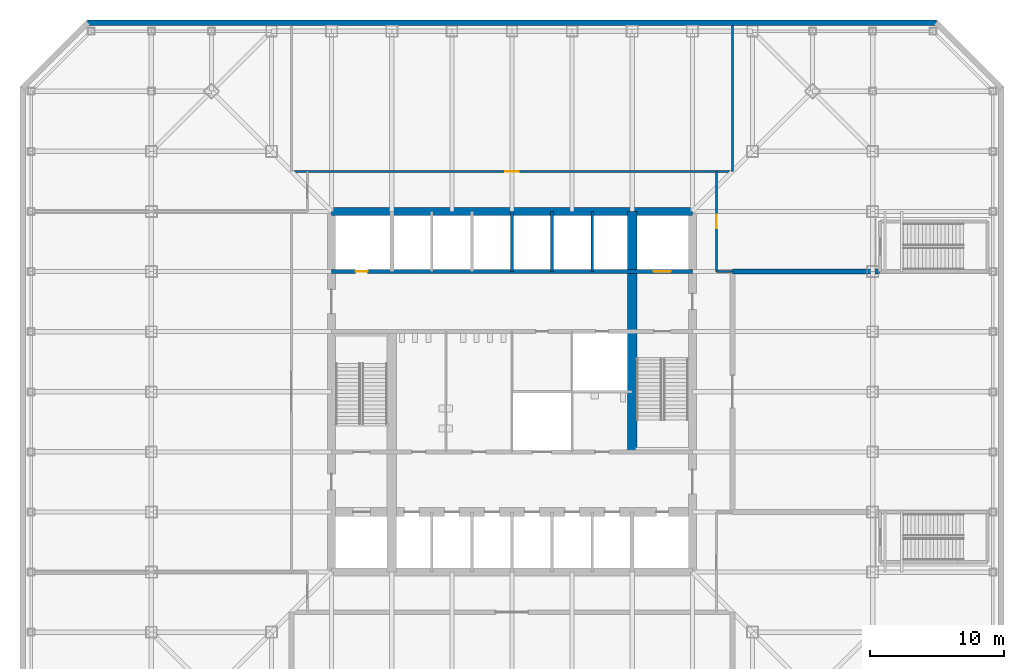
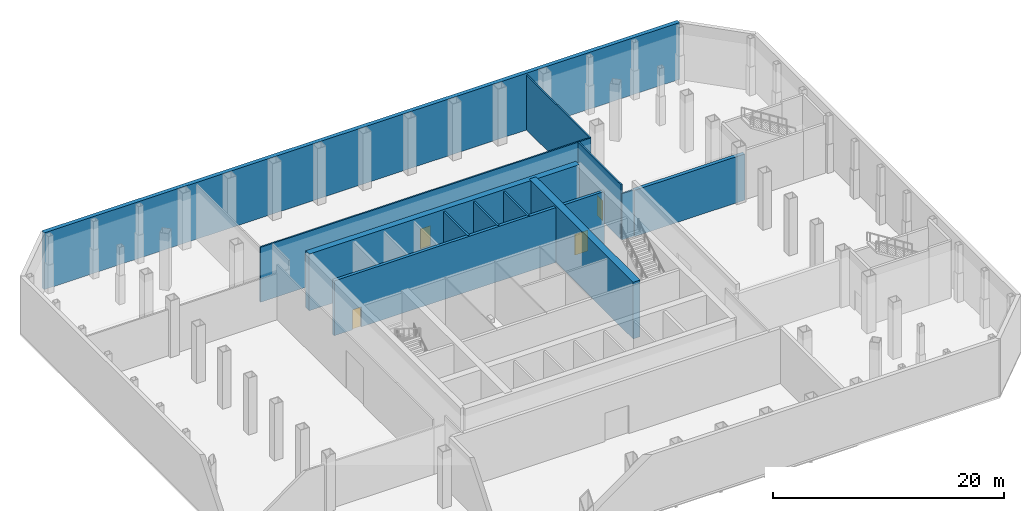
# One storey, part 8 of 12: 12 walls, 4 doors, 4 openings.
"""IFC4 building model written with IfcOpenShell, lengths in metres."""

from ifc_helpers import new_model, si_unit, direction, frame, frame_2d, origin, place, context, subcontext, project, spatial, rectangle, extrude, material, layer, layer_set, type_object, element, fill, save


model = new_model("IFC4")

# Units and contexts
model_context = context("Model", 3, precision=1e-05, world=origin(), true_north=direction((0.0, 1.0)))
body_context = subcontext(model_context, "Body", "Model", "MODEL_VIEW")
ifc_project = project(units=[si_unit("LENGTHUNIT", "METRE"), si_unit("AREAUNIT", "SQUARE_METRE"), si_unit("VOLUMEUNIT", "CUBIC_METRE"), si_unit("PLANEANGLEUNIT", "RADIAN"), si_unit("MASSUNIT", "GRAM", prefix="KILO")], contexts=[model_context])

# Site, building, storey
site_placement = place(None, origin())
site = spatial("IfcSite", under=ifc_project, at=site_placement, CompositionType="ELEMENT")
building_placement = place(site_placement, origin())
building = spatial("IfcBuilding", under=site, at=building_placement, Name="Corais Broadcast Tower", CompositionType="ELEMENT")
storey_placement = place(building_placement, frame((0.0, 0.0, 6.0)))
storey = spatial("IfcBuildingStorey", under=building, at=storey_placement, Name="L01", CompositionType="ELEMENT", Elevation=6.0)

# Walls
ifc_material_1 = material(Name="Concrete C50/60", Category="concrete")
ifc_layer_1 = layer(ifc_material_1, 0.699951171875)
ifc_layer_set_1 = layer_set([ifc_layer_1], Name="Concrete C50/60")
wall_type_1 = type_object("IfcWallType", Name="Core spine wall 700", PredefinedType="SHEAR", material=ifc_layer_set_1)
wall_1_placement = place(storey_placement, frame((36.0, 22.5, 0.0), z_axis=(0.0, 0.0, 1.0), x_axis=(0.0, 1.0, 0.0)))
element("IfcWall", 1, at=wall_1_placement, inside=storey, type_object=wall_type_1, Name="CR700 core wall X36B L01", PredefinedType="SHEAR", context=body_context, shape_type="SweptSolid", body=[
    extrude(rectangle(XDim=18.0, YDim=0.699951171875, at=frame_2d((9.0, 0.0))), origin(), (0.0, 0.0, 1.0), 6.0),
])
ifc_material_2 = material(Name="Concrete C50/60", Category="concrete")
ifc_layer_2 = layer(ifc_material_2, 0.60009765625)
ifc_layer_set_2 = layer_set([ifc_layer_2], Name="Concrete C50/60")
wall_type_2 = type_object("IfcWallType", Name="Core wall 600", PredefinedType="SHEAR", material=ifc_layer_set_2)
wall_2_placement = place(storey_placement, frame((40.5, 40.5, 0.0), z_axis=(0.0, 0.0, 1.0), x_axis=(-1.0, 0.0, 0.0)))
element("IfcWall", 2, at=wall_2_placement, inside=storey, type_object=wall_type_2, Name="CR600 core wall N L01", PredefinedType="SHEAR", context=body_context, shape_type="SweptSolid", body=[
    extrude(rectangle(XDim=27.0, YDim=0.60009765625, at=frame_2d((13.5, 0.0))), origin(), (0.0, 0.0, 1.0), 6.0),
])
ifc_material_3 = material(Name="Two leaves of dense concrete blockwork class A with a 50 mm cavity", Category="masonry")
ifc_layer_3 = layer(ifc_material_3, 0.35009765625)
ifc_layer_set_3 = layer_set([ifc_layer_3], Name="Two leaves of dense concrete blockwork class A with a 50 mm cavity")
wall_type_3 = type_object("IfcWallType", Name="Double-leaf acoustic partition 350", PredefinedType="PARTITIONING", material=ifc_layer_set_3)
wall_3_placement = place(storey_placement, frame((54.5, 36.0, 0.0), z_axis=(0.0, 0.0, 1.0), x_axis=(-1.0, 0.0, 0.0)))
element("IfcWall", 3, at=wall_3_placement, inside=storey, type_object=wall_type_3, Name="IW4 partition L01", PredefinedType="PARTITIONING", context=body_context, shape_type="SweptSolid", body=[
    extrude(rectangle(XDim=11.0, YDim=0.35009765625, at=frame_2d((5.5, 0.0))), origin(), (0.0, 0.0, 1.0), 4.881103515625),
])

# Wall, openings, doors
ifc_material_4 = material(Name="Concrete blockwork class A, grouted, four-hour", Category="masonry")
ifc_layer_4 = layer(ifc_material_4, 0.300048828125)
ifc_layer_set_4 = layer_set([ifc_layer_4], Name="Concrete blockwork class A, grouted, four-hour")
wall_type_4 = type_object("IfcWallType", Name="Emergency lift shaft wall 300", PredefinedType="SOLIDWALL", material=ifc_layer_set_4)
wall_4_placement = place(storey_placement, frame((13.5, 36.0, 0.0), z_axis=(0.0, 0.0, 1.0), x_axis=(1.0, 0.0, 0.0)))
wall_4 = element("IfcWall", 4, at=wall_4_placement, inside=storey, type_object=wall_type_4, Name="LS1 core lobby wall Y36 L01", PredefinedType="SOLIDWALL", context=body_context, shape_type="SweptSolid", body=[
    extrude(rectangle(XDim=27.0, YDim=0.300048828125, at=frame_2d((13.5, 0.0))), origin(), (0.0, 0.0, 1.0), 5.800048828125),
])
opening_1_placement = place(wall_4_placement, frame((1.800048828125, 0.0, 0.0)))
opening_1 = element("IfcOpeningElement", 5, at=opening_1_placement, cuts=wall_4, Name="Opening RD1", PredefinedType="OPENING", context=body_context, shape_type="SweptSolid", body=[
    extrude(rectangle(XDim=0.89990234375, YDim=2.10009765625, at=frame_2d((0.449951171875, 1.050048828125))), frame((0.0, 0.159912109375, 0.0), z_axis=(0.0, -1.0, 0.0), x_axis=(1.0, 0.0, 0.0)), (0.0, 0.0, 1.0), 0.320068359375),
])
opening_2_placement = place(wall_4_placement, frame((24.10009765625, 0.0, 0.0)))
opening_2 = element("IfcOpeningElement", 6, at=opening_2_placement, cuts=wall_4, Name="Opening LD2", PredefinedType="OPENING", context=body_context, shape_type="SweptSolid", body=[
    extrude(rectangle(XDim=1.300048828125, YDim=2.199951171875, at=frame_2d((0.64990234375, 1.10009765625))), frame((0.0, 0.159912109375, 0.0), z_axis=(0.0, -1.0, 0.0), x_axis=(1.0, 0.0, 0.0)), (0.0, 0.0, 1.0), 0.320068359375),
])
ifc_material_5 = material(Name="Stainless steel lift door", Category="steel")
door_type_1 = type_object("IfcDoorType", Name="Lift landing door 1300x2200", OperationType="SLIDING_TO_LEFT", PredefinedType="DOOR", material=ifc_material_5)
door_1_placement = place(opening_2_placement, origin())
door_1 = element("IfcDoor", 7, at=door_1_placement, inside=storey, type_object=door_type_1, Name="LD2 FL2 landing door L01", OperationType="SLIDING_TO_LEFT", OverallHeight=2.199951171875, OverallWidth=1.300048828125, PredefinedType="DOOR", context=body_context, shape_type="SweptSolid", body=[
    extrude(rectangle(XDim=1.300048828125, YDim=2.199951171875, at=frame_2d((0.64990234375, 1.10009765625))), frame((0.0, 0.02490234375, 0.0), z_axis=(0.0, -1.0, 0.0), x_axis=(1.0, 0.0, 0.0)), (0.0, 0.0, 1.0), 0.050048828125),
])
fill(opening_2, door_1)
ifc_material_6 = material(Name="Steel fire door", Category="steel")
door_type_2 = type_object("IfcDoorType", Name="Riser door 900x2100", OperationType="SINGLE_SWING_LEFT", PredefinedType="DOOR", material=ifc_material_6)
door_2_placement = place(opening_1_placement, origin())
door_2 = element("IfcDoor", 8, at=door_2_placement, inside=storey, type_object=door_type_2, Name="RD1 riser door L01", OperationType="SINGLE_SWING_LEFT", OverallHeight=2.10009765625, OverallWidth=0.89990234375, PredefinedType="DOOR", context=body_context, shape_type="SweptSolid", body=[
    extrude(rectangle(XDim=0.89990234375, YDim=2.10009765625, at=frame_2d((0.449951171875, 1.050048828125))), frame((0.0, 0.02490234375, 0.0), z_axis=(0.0, -1.0, 0.0), x_axis=(1.0, 0.0, 0.0)), (0.0, 0.0, 1.0), 0.050048828125),
])
fill(opening_1, door_2)

# Wall, opening, door
ifc_material_7 = material(Name="Gypsum board on steel studs", Category="steel")
ifc_layer_5 = layer(ifc_material_7, 0.14990234375)
ifc_layer_set_5 = layer_set([ifc_layer_5], Name="Gypsum board on steel studs")
wall_type_5 = type_object("IfcWallType", Name="Partition 150", PredefinedType="PARTITIONING", material=ifc_layer_set_5)
wall_5_placement = place(storey_placement, frame((42.300048828125, 36.0, 0.0), z_axis=(0.0, 0.0, 1.0), x_axis=(0.0, 1.0, 0.0)))
wall_5 = element("IfcWall", 9, at=wall_5_placement, inside=storey, type_object=wall_type_5, Name="IW3 corridor wall L01", PredefinedType="PARTITIONING", context=body_context, shape_type="SweptSolid", body=[
    extrude(rectangle(XDim=7.5, YDim=0.14990234375, at=frame_2d((3.75, 0.0))), origin(), (0.0, 0.0, 1.0), 5.800048828125),
])
opening_3_placement = place(wall_5_placement, frame((3.25, 0.0, 0.0)))
opening_3 = element("IfcOpeningElement", 10, at=opening_3_placement, cuts=wall_5, Name="Opening D1", PredefinedType="OPENING", context=body_context, shape_type="SweptSolid", body=[
    extrude(rectangle(XDim=1.0, YDim=2.10009765625, at=frame_2d((0.5, 1.050048828125))), frame((0.0, 0.0849609375, 0.0), z_axis=(0.0, -1.0, 0.0), x_axis=(1.0, 0.0, 0.0)), (0.0, 0.0, 1.0), 0.169921875),
])
ifc_material_8 = material(Name="Timber door", Category="wood")
door_type_3 = type_object("IfcDoorType", Name="Single door 1000x2100", OperationType="SINGLE_SWING_LEFT", PredefinedType="DOOR", material=ifc_material_8)
door_3_placement = place(opening_3_placement, origin())
door_3 = element("IfcDoor", 11, at=door_3_placement, inside=storey, type_object=door_type_3, Name="D1 workplace door L01", OperationType="SINGLE_SWING_LEFT", OverallHeight=2.10009765625, OverallWidth=1.0, PredefinedType="DOOR", context=body_context, shape_type="SweptSolid", body=[
    extrude(rectangle(XDim=1.0, YDim=2.10009765625, at=frame_2d((0.5, 1.050048828125))), frame((0.0, 0.02490234375, 0.0), z_axis=(0.0, -1.0, 0.0), x_axis=(1.0, 0.0, 0.0)), (0.0, 0.0, 1.0), 0.050048828125),
])
fill(opening_3, door_3)

# Wall
wall_6_placement = place(storey_placement, frame((43.510009765625, 36.0, 0.0), z_axis=(0.0, 0.0, 1.0), x_axis=(-1.0, 0.0, 0.0)))
element("IfcWall", 12, at=wall_6_placement, inside=storey, type_object=wall_type_5, Name="IW3 corridor wall L01", PredefinedType="PARTITIONING", context=body_context, shape_type="SweptSolid", body=[
    extrude(rectangle(XDim=1.2099609375, YDim=0.14990234375, at=frame_2d((0.60498046875, 0.0))), origin(), (0.0, 0.0, 1.0), 4.881103515625),
])

# Wall, opening, door
wall_7_placement = place(storey_placement, frame((10.5, 43.5, 0.0), z_axis=(0.0, 0.0, 1.0), x_axis=(1.0, 0.0, 0.0)))
wall_7 = element("IfcWall", 13, at=wall_7_placement, inside=storey, type_object=wall_type_5, Name="IW3 partition L01", PredefinedType="PARTITIONING", context=body_context, shape_type="SweptSolid", body=[
    extrude(rectangle(XDim=33.0, YDim=0.14990234375, at=frame_2d((16.5, 0.0))), origin(), (0.0, 0.0, 1.0), 5.800048828125),
])
opening_4_placement = place(wall_7_placement, frame((16.0, 0.0, 0.0)))
opening_4 = element("IfcOpeningElement", 14, at=opening_4_placement, cuts=wall_7, Name="Opening D1", PredefinedType="OPENING", context=body_context, shape_type="SweptSolid", body=[
    extrude(rectangle(XDim=1.0, YDim=2.10009765625, at=frame_2d((0.5, 1.050048828125))), frame((0.0, 0.0849609375, 0.0), z_axis=(0.0, -1.0, 0.0), x_axis=(1.0, 0.0, 0.0)), (0.0, 0.0, 1.0), 0.169921875),
])
door_4_placement = place(opening_4_placement, origin())
door_4 = element("IfcDoor", 15, at=door_4_placement, inside=storey, type_object=door_type_3, Name="D1 Production office door", OperationType="SINGLE_SWING_LEFT", OverallHeight=2.10009765625, OverallWidth=1.0, PredefinedType="DOOR", context=body_context, shape_type="SweptSolid", body=[
    extrude(rectangle(XDim=1.0, YDim=2.10009765625, at=frame_2d((0.5, 1.050048828125))), frame((0.0, 0.02490234375, 0.0), z_axis=(0.0, -1.0, 0.0), x_axis=(1.0, 0.0, 0.0)), (0.0, 0.0, 1.0), 0.050048828125),
])
fill(opening_4, door_4)

# Walls
wall_8_placement = place(storey_placement, frame((43.5, 43.5, 0.0), z_axis=(0.0, 0.0, 1.0), x_axis=(0.0, 1.0, 0.0)))
element("IfcWall", 16, at=wall_8_placement, inside=storey, type_object=wall_type_5, Name="IW3 partition L01", PredefinedType="PARTITIONING", context=body_context, shape_type="SweptSolid", body=[
    extrude(rectangle(XDim=10.929931640625, YDim=0.14990234375, at=frame_2d((5.46484375, 0.0))), origin(), (0.0, 0.0, 1.0), 5.800048828125),
])
ifc_material_9 = material(Name="Concrete blockwork class A, grouted, two-hour", Category="masonry")
ifc_layer_6 = layer(ifc_material_9, 0.199951171875)
ifc_layer_set_6 = layer_set([ifc_layer_6], Name="Concrete blockwork class A, grouted, two-hour")
wall_type_6 = type_object("IfcWallType", Name="Shaft wall 200", PredefinedType="PARTITIONING", material=ifc_layer_set_6)
for number, where, z_axis, x_axis, name in (
    (17, (27.0, 36.0, 0.0), (0.0, 0.0, 1.0), (0.0, 1.0, 0.0), "IW1 shaft wall L01"),
    (18, (30.0, 36.0, 0.0), (0.0, 0.0, 1.0), (0.0, 1.0, 0.0), "IW1 shaft wall L01"),
    (19, (33.0, 36.0, 0.0), (0.0, 0.0, 1.0), (0.0, 1.0, 0.0), "IW1 shaft wall L01"),
):
    element("IfcWall", number, at=place(storey_placement, frame(where, z_axis=z_axis, x_axis=x_axis)), inside=storey, type_object=wall_type_6, Name=name, PredefinedType="PARTITIONING", context=body_context, shape_type="SweptSolid", body=[
        extrude(rectangle(XDim=4.5, YDim=0.199951171875, at=frame_2d((2.25, 0.0))), origin(), (0.0, 0.0, 1.0), 5.800048828125),
    ])
ifc_material_10 = material(Name="Precast concrete C40/50", Category="concrete")
ifc_layer_7 = layer(ifc_material_10, 0.39990234375)
ifc_layer_set_7 = layer_set([ifc_layer_7], Name="Precast concrete C40/50")
wall_type_7 = type_object("IfcWallType", Name="Stone-faced acoustic wall 400", PredefinedType="SOLIDWALL", material=ifc_layer_set_7)
wall_9_placement = place(storey_placement, frame((-4.760986328125, 54.6298828125, 0.0), z_axis=(0.0, 0.0, 1.0), x_axis=(1.0, 0.0, 0.0)))
element("IfcWall", 20, at=wall_9_placement, inside=storey, type_object=wall_type_7, Name="EW2 external wall L01 4", PredefinedType="SOLIDWALL", context=body_context, shape_type="SweptSolid", body=[
    extrude(rectangle(XDim=63.52197265625, YDim=0.39990234375, at=frame_2d((31.760986328125, 0.0))), origin(), (0.0, 0.0, 1.0), 6.0),
])

save(model, "model.ifc")
